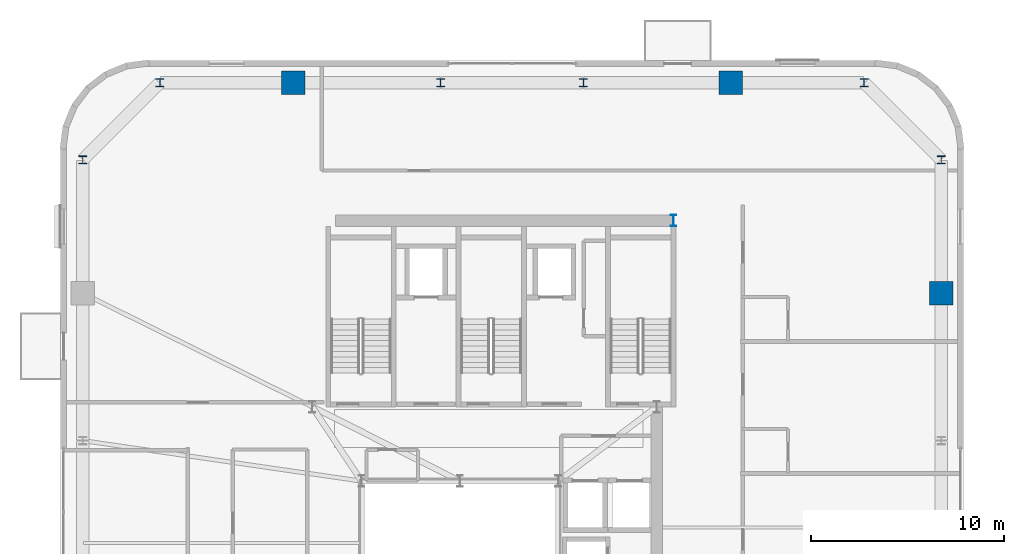
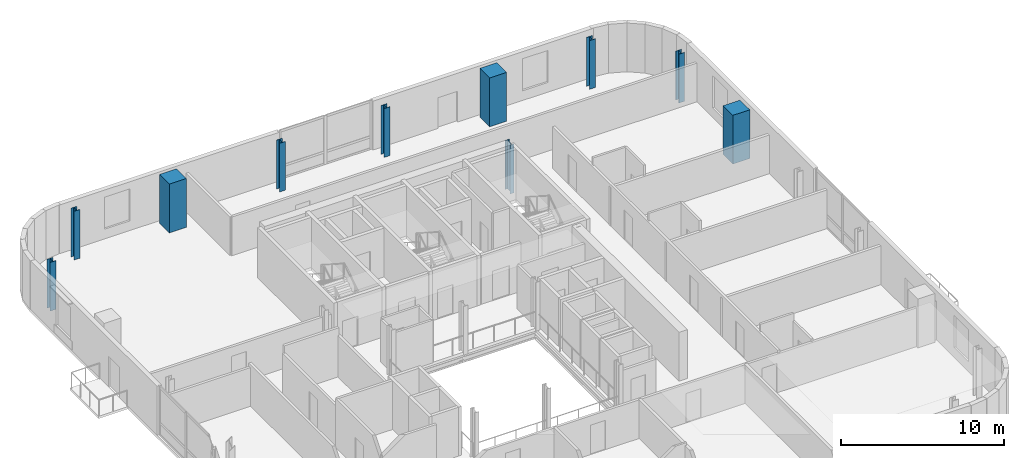
# One storey, part 2 of 15: 10 columns.
"""IFC4 building model written with IfcOpenShell, lengths in metres."""

from ifc_helpers import new_model, si_unit, direction, frame, origin, origin_2d, place, context, subcontext, project, spatial, rectangle, i_section, extrude, source, transform, mapped, material, material_profile, profile_set, type_object, element, save


model = new_model("IFC4")

# Units and contexts
model_context = context("Model", 3, precision=1e-05, world=origin(), true_north=direction((0.0, 1.0)))
body_context = subcontext(model_context, "Body", "Model", "MODEL_VIEW")
ifc_project = project(units=[si_unit("LENGTHUNIT", "METRE"), si_unit("AREAUNIT", "SQUARE_METRE"), si_unit("VOLUMEUNIT", "CUBIC_METRE"), si_unit("PLANEANGLEUNIT", "RADIAN"), si_unit("MASSUNIT", "GRAM", prefix="KILO")], contexts=[model_context])

# Site, building, storey
site_placement = place(None, origin())
site = spatial("IfcSite", under=ifc_project, at=site_placement, CompositionType="ELEMENT")
building_placement = place(site_placement, origin())
building = spatial("IfcBuilding", under=site, at=building_placement, Name="Vardaveli Station Tower", CompositionType="ELEMENT")
storey_placement = place(building_placement, frame((0.0, 0.0, 250.60009765625)))
storey = spatial("IfcBuildingStorey", under=building, at=storey_placement, Name="L64", CompositionType="ELEMENT", Elevation=250.60009765625)

# Columns
ifc_material_1 = material(Name="Structural steel S460M", Category="steel")
ifc_material_profile_1 = material_profile(ifc_material_1, i_section(OverallWidth=0.300048828125, OverallDepth=0.60009765625, WebThickness=0.015380859375, FlangeThickness=0.030029296875, FilletRadius=0.027099609375, at=origin_2d()), Name="HEB 600")
ifc_profile_set_1 = profile_set([ifc_material_profile_1], Name="Structural steel S460M")
column_type_1 = type_object("IfcColumnType", Name="COL-HEB600", PredefinedType="COLUMN", material=ifc_profile_set_1)
shared_shape_1 = source(origin(), body_context, "Body", "SweptSolid", [
    extrude(i_section(OverallWidth=0.300048828125, OverallDepth=0.60009765625, WebThickness=0.015380859375, FlangeThickness=0.030029296875, FilletRadius=0.027099609375, at=origin_2d()), origin(), (0.0, 0.0, 1.0), 3.64990234375),
])
column_placement = place(storey_placement, frame((47.3701171875, 40.300048828125, 0.0), z_axis=(0.0, 0.0, 1.0), x_axis=(1.0, 0.0, 0.0)))
element("IfcColumn", 1, at=column_placement, inside=storey, type_object=column_type_1, Name="COL-L64-CC3", PredefinedType="COLUMN", context=body_context, shape_type="MappedRepresentation", body=[
    mapped(shared_shape_1, transform((0.0, 0.0, 0.0), scale=1.0)),
])
ifc_material_2 = material(Name="Concrete C50/60", Category="concrete")
ifc_material_profile_2 = material_profile(ifc_material_2, rectangle(XDim=1.199951171875, YDim=1.199951171875, at=origin_2d()), Name="MC 1200x1200")
ifc_profile_set_2 = profile_set([ifc_material_profile_2], Name="Concrete C50/60")
column_type_2 = type_object("IfcColumnType", Name="COL-MC-1200", PredefinedType="COLUMN", material=ifc_profile_set_2)
shared_shape_2 = source(origin(), body_context, "Body", "SweptSolid", [
    extrude(rectangle(XDim=1.199951171875, YDim=1.199951171875, at=origin_2d()), origin(), (0.0, 0.0, 1.0), 3.64990234375),
])
for number, where, z_axis, x_axis, name in (
    (2, (61.25, 36.5400390625, 0.0), (0.0, 0.0, 1.0), (1.0, 0.0, 0.0), "COL-L64-MC4"),
    (3, (50.340087890625, 47.449951171875, 0.0), (0.0, 0.0, 1.0), (1.0, 0.0, 0.0), "COL-L64-MC5"),
    (4, (27.659912109375, 47.449951171875, 0.0), (0.0, 0.0, 1.0), (1.0, 0.0, 0.0), "COL-L64-MC6"),
):
    element("IfcColumn", number, at=place(storey_placement, frame(where, z_axis=z_axis, x_axis=x_axis)), inside=storey, type_object=column_type_2, Name=name, PredefinedType="COLUMN", context=body_context, shape_type="MappedRepresentation", body=[
        mapped(shared_shape_2, transform((0.0, 0.0, 0.0), scale=1.0)),
    ])
ifc_material_profile_3 = material_profile(ifc_material_1, i_section(OverallWidth=0.405029296875, OverallDepth=0.403076171875, WebThickness=0.017822265625, FlangeThickness=0.02783203125, FilletRadius=0.014892578125, at=origin_2d()), Name="HD 400x287")
ifc_profile_set_3 = profile_set([ifc_material_profile_3], Name="Structural steel S460M")
column_type_3 = type_object("IfcColumnType", Name="COL-HD287", PredefinedType="COLUMN", material=ifc_profile_set_3)
shared_shape_3 = source(origin(), body_context, "Body", "SweptSolid", [
    extrude(i_section(OverallWidth=0.405029296875, OverallDepth=0.403076171875, WebThickness=0.017822265625, FlangeThickness=0.02783203125, FilletRadius=0.014892578125, at=origin_2d()), origin(), (0.0, 0.0, 1.0), 3.64990234375),
])
for number, where, z_axis, x_axis, name in (
    (5, (61.25, 43.449951171875, 0.0), (0.0, 0.0, 1.0), (1.0, 0.0, 0.0), "COL-L64-PC08"),
    (6, (57.25, 47.449951171875, 0.0), (0.0, 0.0, 1.0), (1.0, 0.0, 0.0), "COL-L64-PC09"),
    (7, (42.699951171875, 47.449951171875, 0.0), (0.0, 0.0, 1.0), (1.0, 0.0, 0.0), "COL-L64-PC10"),
    (8, (35.300048828125, 47.449951171875, 0.0), (0.0, 0.0, 1.0), (1.0, 0.0, 0.0), "COL-L64-PC11"),
    (9, (20.75, 47.449951171875, 0.0), (0.0, 0.0, 1.0), (1.0, 0.0, 0.0), "COL-L64-PC12"),
    (10, (16.75, 43.449951171875, 0.0), (0.0, 0.0, 1.0), (1.0, 0.0, 0.0), "COL-L64-PC13"),
):
    element("IfcColumn", number, at=place(storey_placement, frame(where, z_axis=z_axis, x_axis=x_axis)), inside=storey, type_object=column_type_3, Name=name, PredefinedType="COLUMN", context=body_context, shape_type="MappedRepresentation", body=[
        mapped(shared_shape_3, transform((0.0, 0.0, 0.0), scale=1.0)),
    ])

save(model, "model.ifc")
